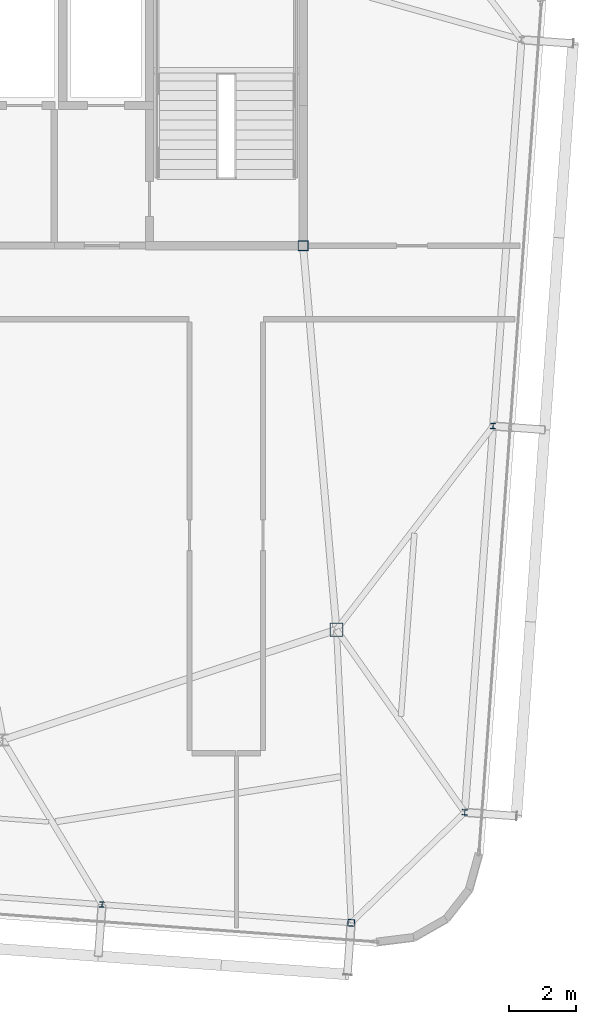
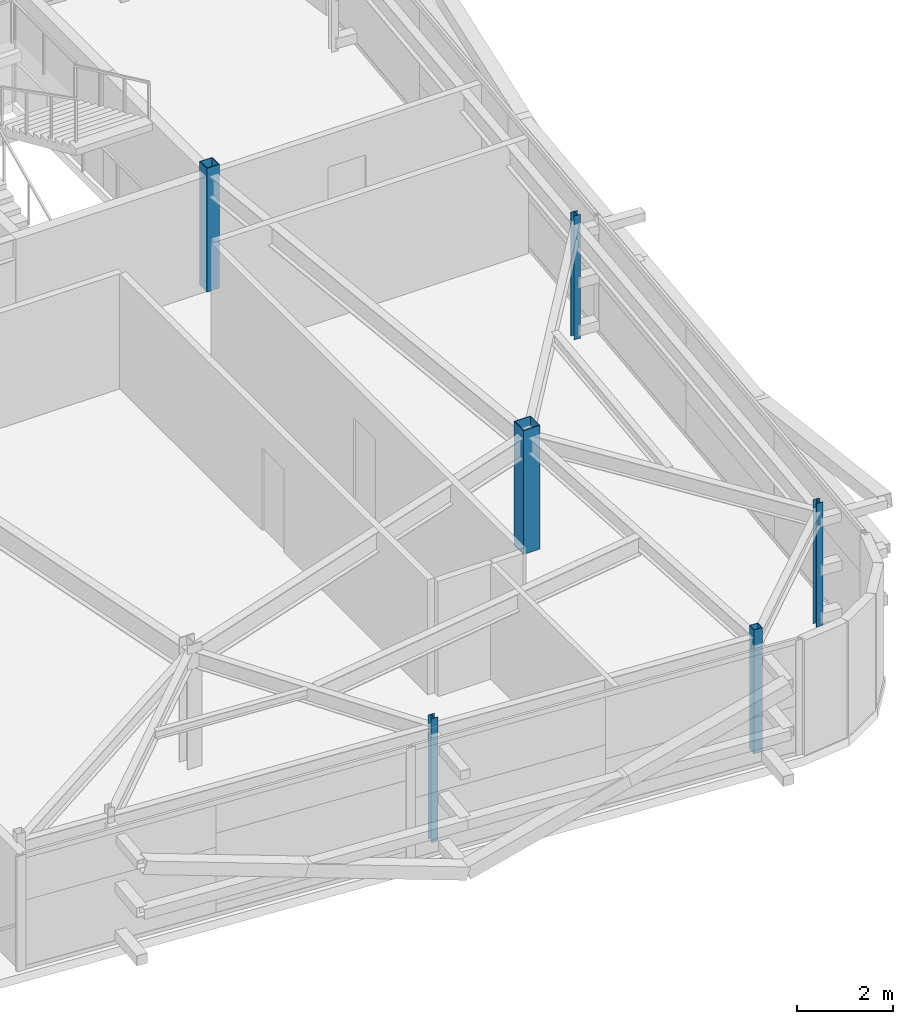
# One storey, part 5 of 36: 6 columns.
"""IFC4 building model written with IfcOpenShell, lengths in metres."""

from ifc_helpers import new_model, si_unit, direction, frame, origin, origin_2d, place, context, subcontext, project, spatial, hollow_rectangle, i_section, extrude, source, transform, mapped, material, material_profile, profile_set, type_object, element, save


model = new_model("IFC4")

# Units and contexts
model_context = context("Model", 3, precision=1e-05, world=origin(), true_north=direction((0.0, 1.0)))
body_context = subcontext(model_context, "Body", "Model", "MODEL_VIEW")
ifc_project = project(units=[si_unit("LENGTHUNIT", "METRE"), si_unit("AREAUNIT", "SQUARE_METRE"), si_unit("VOLUMEUNIT", "CUBIC_METRE"), si_unit("PLANEANGLEUNIT", "RADIAN"), si_unit("MASSUNIT", "GRAM", prefix="KILO")], contexts=[model_context])

# Site, building, storey
site_placement = place(None, origin())
site = spatial("IfcSite", under=ifc_project, at=site_placement, CompositionType="ELEMENT")
building_placement = place(site_placement, origin())
building = spatial("IfcBuilding", under=site, at=building_placement, Name="Taldren Reach Tower", CompositionType="ELEMENT")
storey_placement = place(building_placement, frame((0.0, 0.0, 227.14990234375)))
storey = spatial("IfcBuildingStorey", under=building, at=storey_placement, Name="L69", CompositionType="ELEMENT", Elevation=227.14990234375)

# Columns
ifc_material_1 = material(Name="Steel Gr 450 (C450L0)", Category="steel")
ifc_material_profile_1 = material_profile(ifc_material_1, hollow_rectangle(XDim=0.39990234375, YDim=0.39990234375, WallThickness=0.01611328125, at=origin_2d()), Name="400x400x16.0SHS")
ifc_profile_set_1 = profile_set([ifc_material_profile_1], Name="Steel Gr 450 (C450L0)")
column_type_1 = type_object("IfcColumnType", Name="COL-SHS400", PredefinedType="COLUMN", material=ifc_profile_set_1)
shared_shape_1 = source(origin(), body_context, "Body", "SweptSolid", [
    extrude(hollow_rectangle(XDim=0.39990234375, YDim=0.39990234375, WallThickness=0.01611328125, at=origin_2d()), origin(), (0.0, 0.0, 1.0), 3.150146484375),
])
column_1_placement = place(storey_placement, frame((52.0, 12.5, 0.0), z_axis=(0.0, 0.0, 1.0), x_axis=(1.0, 0.0, 0.0)))
element("IfcColumn", 1, at=column_1_placement, inside=storey, type_object=column_type_1, Name="Mega column MC-SE L69", PredefinedType="COLUMN", context=body_context, shape_type="MappedRepresentation", body=[
    mapped(shared_shape_1, transform((0.0, 0.0, 0.0), scale=1.0)),
])
ifc_material_profile_2 = material_profile(ifc_material_1, hollow_rectangle(XDim=0.300048828125, YDim=0.300048828125, WallThickness=0.012451171875, at=origin_2d()), Name="300x300x12.5SHS")
ifc_profile_set_2 = profile_set([ifc_material_profile_2], Name="Steel Gr 450 (C450L0)")
column_type_2 = type_object("IfcColumnType", Name="COL-SHS300", PredefinedType="COLUMN", material=ifc_profile_set_2)
shared_shape_2 = source(origin(), body_context, "Body", "SweptSolid", [
    extrude(hollow_rectangle(XDim=0.300048828125, YDim=0.300048828125, WallThickness=0.012451171875, at=origin_2d()), origin(), (0.0, 0.0, 1.0), 3.150146484375),
])
column_2_placement = place(storey_placement, frame((51.0, 24.0, 0.0), z_axis=(0.0, 0.0, 1.0), x_axis=(1.0, 0.0, 0.0)))
element("IfcColumn", 2, at=column_2_placement, inside=storey, type_object=column_type_2, Name="Mega column MC-C4 L69", PredefinedType="COLUMN", context=body_context, shape_type="MappedRepresentation", body=[
    mapped(shared_shape_2, transform((0.0, 0.0, 0.0), scale=1.0)),
])
ifc_material_2 = material(Name="Steel Gr 350 (C350L0)", Category="steel")
ifc_material_profile_3 = material_profile(ifc_material_2, hollow_rectangle(XDim=0.199951171875, YDim=0.199951171875, WallThickness=0.009033203125, at=origin_2d()), Name="200x200x9.0SHS")
ifc_profile_set_3 = profile_set([ifc_material_profile_3], Name="Steel Gr 350 (C350L0)")
column_type_3 = type_object("IfcColumnType", Name="COL-SHS200", PredefinedType="COLUMN", material=ifc_profile_set_3)
shared_shape_3 = source(origin(), body_context, "Body", "SweptSolid", [
    extrude(hollow_rectangle(XDim=0.199951171875, YDim=0.199951171875, WallThickness=0.009033203125, at=origin_2d()), origin(), (0.0, 0.0, 1.0), 3.150146484375),
])
column_3_placement = place(storey_placement, frame((52.440185546875, 3.72119140625, 0.0), z_axis=(0.0, 0.0, 1.0), x_axis=(0.997314477224, -0.073238197128, 0.0)))
element("IfcColumn", 3, at=column_3_placement, inside=storey, type_object=column_type_3, Name="Block B5 perimeter column S6 L69", PredefinedType="COLUMN", context=body_context, shape_type="MappedRepresentation", body=[
    mapped(shared_shape_3, transform((0.0, 0.0, 0.0), scale=1.0)),
])
ifc_material_3 = material(Name="Steel Gr 350 (350PLUS)", Category="steel")
ifc_material_profile_4 = material_profile(ifc_material_3, i_section(OverallWidth=0.154052734375, OverallDepth=0.162109375, WebThickness=0.008056640625, FlangeThickness=0.011474609375, at=origin_2d()), Name="150UC37.2")
ifc_profile_set_4 = profile_set([ifc_material_profile_4], Name="Steel Gr 350 (350PLUS)")
column_type_4 = type_object("IfcColumnType", Name="COL-UC150", PredefinedType="COLUMN", material=ifc_profile_set_4)
shared_shape_4 = source(origin(), body_context, "Body", "SweptSolid", [
    extrude(i_section(OverallWidth=0.154052734375, OverallDepth=0.162109375, WebThickness=0.008056640625, FlangeThickness=0.011474609375, at=origin_2d()), origin(), (0.0, 0.0, 1.0), 3.150146484375),
])
for number, where, z_axis, x_axis, name in (
    (4, (44.980224609375, 4.26904296875, 0.0), (0.0, 0.0, 1.0), (0.997314477224, -0.073238197128, 0.0), "Block B5 perimeter column S5 L69"),
    (5, (55.841796875, 7.031005859375, 0.0), (0.0, 0.0, 1.0), (0.997314477224, -0.073238197128, 0.0), "Block B5 perimeter column E1 L69"),
    (6, (56.69140625, 18.599853515625, 0.0), (0.0, 0.0, 1.0), (0.997314477224, -0.073238197128, 0.0), "Block B5 perimeter column E2 L69"),
):
    element("IfcColumn", number, at=place(storey_placement, frame(where, z_axis=z_axis, x_axis=x_axis)), inside=storey, type_object=column_type_4, Name=name, PredefinedType="COLUMN", context=body_context, shape_type="MappedRepresentation", body=[
        mapped(shared_shape_4, transform((0.0, 0.0, 0.0), scale=1.0)),
    ])

save(model, "model.ifc")
